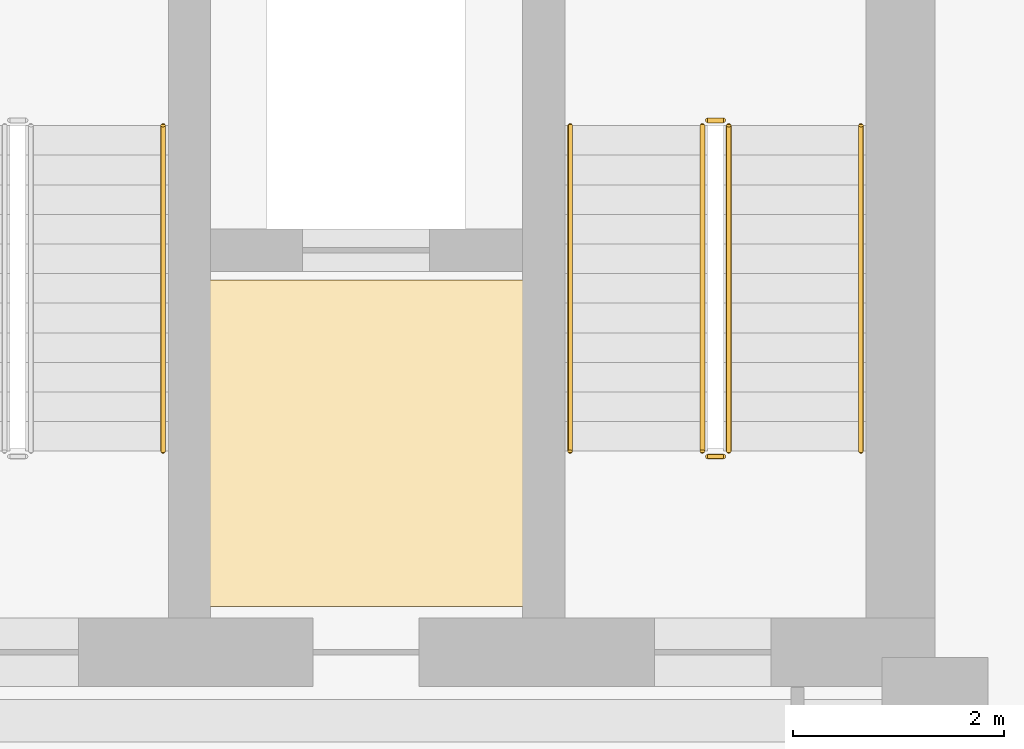
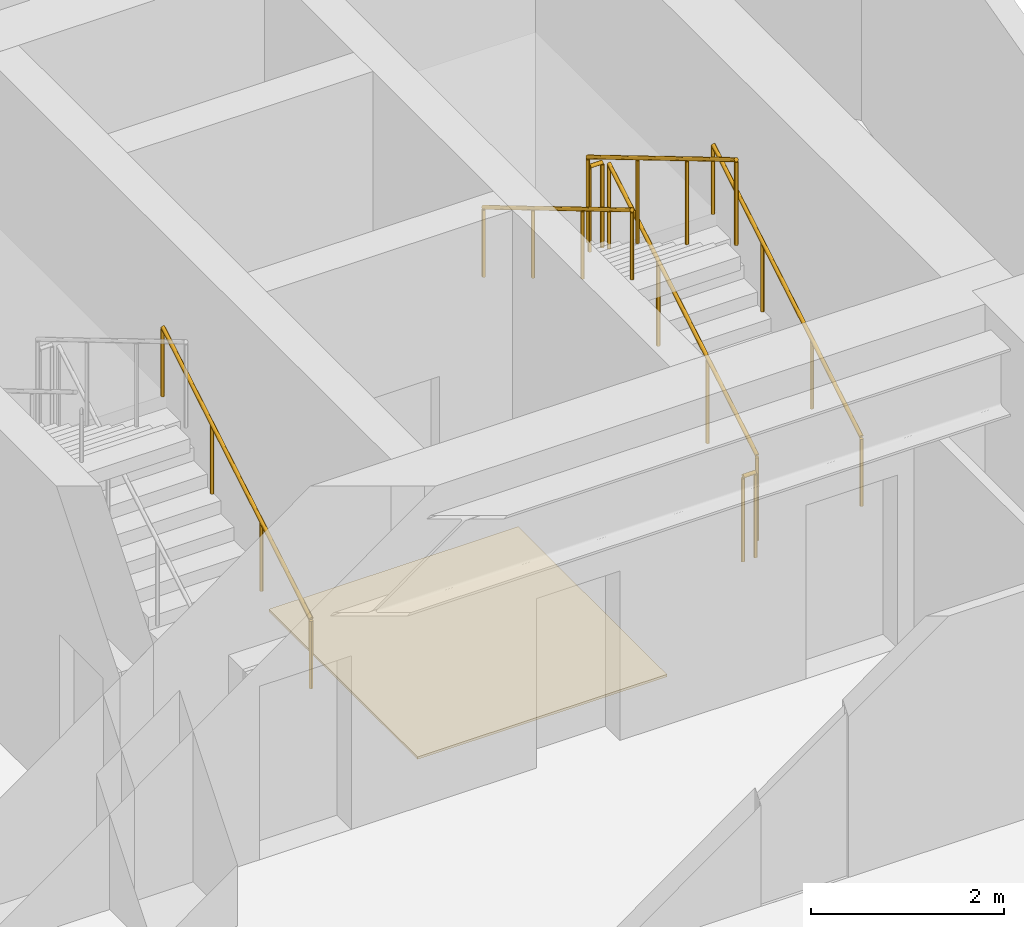
# One storey, part 26 of 26: 7 railings, 1 covering.
"""IFC4 building model written with IfcOpenShell, lengths in metres."""

from ifc_helpers import new_model, si_unit, direction, frame, origin, origin_2d, place, context, subcontext, project, spatial, polyline, circle, outline, extrude, material, layer, layer_set, type_object, element, save


model = new_model("IFC4")

# Units and contexts
model_context = context("Model", 3, precision=1e-05, world=origin(), true_north=direction((0.0, 1.0)))
body_context = subcontext(model_context, "Body", "Model", "MODEL_VIEW")
ifc_project = project(units=[si_unit("LENGTHUNIT", "METRE"), si_unit("AREAUNIT", "SQUARE_METRE"), si_unit("VOLUMEUNIT", "CUBIC_METRE"), si_unit("PLANEANGLEUNIT", "RADIAN"), si_unit("MASSUNIT", "GRAM", prefix="KILO")], contexts=[model_context])

# Site, building, storey
site_placement = place(None, origin())
site = spatial("IfcSite", under=ifc_project, at=site_placement, CompositionType="ELEMENT")
building_placement = place(site_placement, origin())
building = spatial("IfcBuilding", under=site, at=building_placement, Name="Kravanh Interchange Tower", CompositionType="ELEMENT")
storey_placement = place(building_placement, frame((0.0, 0.0, 140.0)))
storey = spatial("IfcBuildingStorey", under=building, at=storey_placement, Name="L33", CompositionType="ELEMENT", Elevation=140.0)

# Covering
ifc_material_1 = material(Name="Cementitious Terrazzo Tile")
ifc_layer_1 = layer(ifc_material_1, 0.030029296875)
ifc_layer_set_1 = layer_set([ifc_layer_1], Name="Honed Terrazzo Lobby Flooring 30mm")
covering_type = type_object("IfcCoveringType", Name="Honed Terrazzo Lobby Flooring 30mm", PredefinedType="FLOORING", material=ifc_layer_set_1)
covering_placement = place(storey_placement, origin())
element("IfcCovering", 1, at=covering_placement, inside=storey, type_object=covering_type, Name="L33 Service Lift Lobby Floor Finish", PredefinedType="FLOORING", context=body_context, shape_type="SweptSolid", body=[
    extrude(outline(polyline([(59.6298828125, 41.52001953125), (62.6201171875, 41.52001953125), (62.6201171875, 38.429931640625), (59.6298828125, 38.429931640625), (59.6298828125, 41.52001953125)])), origin(), (0.0, 0.0, 1.0), 0.030029296875),
])

# Railings
ifc_material_2 = material(Name="Structural Steel S355", Category="steel")
ifc_layer_2 = layer(ifc_material_2, 0.050048828125)
ifc_layer_set_2 = layer_set([ifc_layer_2], Name="Stair Well Guardrail Structural Steel S355 1100mm")
railing_type_1 = type_object("IfcRailingType", Name="Stair Well Guardrail Structural Steel S355 1100mm", PredefinedType="GUARDRAIL", material=ifc_layer_set_2)
railing_1_placement = place(storey_placement, frame((64.550048828125, 39.89990234375, 0.166748046875)))
element("IfcRailing", 2, at=railing_1_placement, inside=storey, type_object=railing_type_1, Name="L33 ST1 stair guard 1", PredefinedType="GUARDRAIL", context=body_context, shape_type="SweptSolid", body=[
    extrude(circle(Radius=0.02392578125, at=origin_2d()), frame((0.0, 0.0, 1.076171875), z_axis=(0.0, 0.859308565015, 0.511457515432), x_axis=(-1.0, 0.0, 0.0)), (0.0, 0.0, 1.0), 3.58447265625),
    extrude(circle(Radius=0.02099609375, at=origin_2d()), origin(), (0.0, 0.0, 1.0), 1.052001953125),
    extrude(circle(Radius=0.02099609375, at=origin_2d()), frame((0.0, 1.026611328125, 0.611083984375)), (0.0, 0.0, 1.0), 1.052001953125),
    extrude(circle(Radius=0.02099609375, at=origin_2d()), frame((0.0, 2.053466796875, 1.22216796875)), (0.0, 0.0, 1.0), 1.052001953125),
    extrude(circle(Radius=0.02099609375, at=origin_2d()), frame((0.0, 3.080078125, 1.833251953125)), (0.0, 0.0, 1.0), 1.052001953125),
])
railing_2_placement = place(storey_placement, frame((64.5, 43.030029296875, 2.0)))
element("IfcRailing", 3, at=railing_2_placement, inside=storey, type_object=railing_type_1, Name="L33 ST1 stair guard 2", PredefinedType="GUARDRAIL", context=body_context, shape_type="SweptSolid", body=[
    extrude(circle(Radius=0.02392578125, at=origin_2d()), frame((0.0, 0.0, 1.076171875), z_axis=(-1.0, 0.0, 0.0), x_axis=(0.0, -1.0, 0.0)), (0.0, 0.0, 1.0), 0.14990234375),
    extrude(circle(Radius=0.02099609375, at=origin_2d()), origin(), (0.0, 0.0, 1.0), 1.052001953125),
    extrude(circle(Radius=0.02099609375, at=origin_2d()), frame((-0.14990234375, 0.0, 0.0)), (0.0, 0.0, 1.0), 1.052001953125),
])
railing_3_placement = place(storey_placement, frame((64.300048828125, 42.97998046875, 2.166748046875)))
element("IfcRailing", 4, at=railing_3_placement, inside=storey, type_object=railing_type_1, Name="L33 ST1 stair guard 3", PredefinedType="GUARDRAIL", context=body_context, shape_type="SweptSolid", body=[
    extrude(circle(Radius=0.02392578125, at=origin_2d()), frame((0.0, 0.0, 1.076171875), z_axis=(0.0, -0.859308565015, 0.511457515432), x_axis=(1.0, 0.0, 0.0)), (0.0, 0.0, 1.0), 3.58447265625),
    extrude(circle(Radius=0.02099609375, at=origin_2d()), origin(), (0.0, 0.0, 1.0), 1.052001953125),
    extrude(circle(Radius=0.02099609375, at=origin_2d()), frame((0.0, -1.026611328125, 0.611083984375)), (0.0, 0.0, 1.0), 1.052001953125),
    extrude(circle(Radius=0.02099609375, at=origin_2d()), frame((0.0, -2.053466796875, 1.22216796875)), (0.0, 0.0, 1.0), 1.052001953125),
    extrude(circle(Radius=0.02099609375, at=origin_2d()), frame((0.0, -3.080078125, 1.833251953125)), (0.0, 0.0, 1.0), 1.052001953125),
])
railing_4_placement = place(storey_placement, frame((64.5, 39.85009765625, 0.0)))
element("IfcRailing", 5, at=railing_4_placement, inside=storey, type_object=railing_type_1, Name="L33 ST1 stair guard 4", PredefinedType="GUARDRAIL", context=body_context, shape_type="SweptSolid", body=[
    extrude(circle(Radius=0.02392578125, at=origin_2d()), frame((0.0, 0.0, 1.076171875), z_axis=(-1.0, 0.0, 0.0), x_axis=(0.0, -1.0, 0.0)), (0.0, 0.0, 1.0), 0.14990234375),
    extrude(circle(Radius=0.02099609375, at=origin_2d()), origin(), (0.0, 0.0, 1.0), 1.052001953125),
    extrude(circle(Radius=0.02099609375, at=origin_2d()), frame((-0.14990234375, 0.0, 0.0)), (0.0, 0.0, 1.0), 1.052001953125),
])
ifc_material_3 = material(Name="Stainless Steel 304", Category="steel")
ifc_layer_3 = layer(ifc_material_3, 0.044921875)
ifc_layer_set_3 = layer_set([ifc_layer_3], Name="Tubular Stair Handrail Stainless 304 900mm")
railing_type_2 = type_object("IfcRailingType", Name="Tubular Stair Handrail Stainless 304 900mm", PredefinedType="HANDRAIL", material=ifc_layer_set_3)
railing_5_placement = place(storey_placement, frame((65.800048828125, 39.89990234375, 0.166748046875)))
element("IfcRailing", 6, at=railing_5_placement, inside=storey, type_object=railing_type_2, Name="L33 ST1 stair handrail 1", PredefinedType="HANDRAIL", context=body_context, shape_type="SweptSolid", body=[
    extrude(circle(Radius=0.02392578125, at=origin_2d()), frame((0.0, 0.0, 0.8759765625), z_axis=(0.0, 0.859308565015, 0.511457515432), x_axis=(-1.0, 0.0, 0.0)), (0.0, 0.0, 1.0), 3.58447265625),
    extrude(circle(Radius=0.02099609375, at=origin_2d()), origin(), (0.0, 0.0, 1.0), 0.851806640625),
    extrude(circle(Radius=0.02099609375, at=origin_2d()), frame((0.0, 1.026611328125, 0.611083984375)), (0.0, 0.0, 1.0), 0.851806640625),
    extrude(circle(Radius=0.02099609375, at=origin_2d()), frame((0.0, 2.053466796875, 1.22216796875)), (0.0, 0.0, 1.0), 0.851806640625),
    extrude(circle(Radius=0.02099609375, at=origin_2d()), frame((0.0, 3.080078125, 1.833251953125)), (0.0, 0.0, 1.0), 0.851806640625),
])
railing_6_placement = place(storey_placement, frame((63.050048828125, 42.97998046875, 2.166748046875)))
element("IfcRailing", 7, at=railing_6_placement, inside=storey, type_object=railing_type_2, Name="L33 ST1 stair handrail 2", PredefinedType="HANDRAIL", context=body_context, shape_type="SweptSolid", body=[
    extrude(circle(Radius=0.02392578125, at=origin_2d()), frame((0.0, 0.0, 0.8759765625), z_axis=(0.0, -0.859308565015, 0.511457515432), x_axis=(1.0, 0.0, 0.0)), (0.0, 0.0, 1.0), 3.58447265625),
    extrude(circle(Radius=0.02099609375, at=origin_2d()), origin(), (0.0, 0.0, 1.0), 0.851806640625),
    extrude(circle(Radius=0.02099609375, at=origin_2d()), frame((0.0, -1.026611328125, 0.611083984375)), (0.0, 0.0, 1.0), 0.851806640625),
    extrude(circle(Radius=0.02099609375, at=origin_2d()), frame((0.0, -2.053466796875, 1.22216796875)), (0.0, 0.0, 1.0), 0.851806640625),
    extrude(circle(Radius=0.02099609375, at=origin_2d()), frame((0.0, -3.080078125, 1.833251953125)), (0.0, 0.0, 1.0), 0.851806640625),
])
railing_7_placement = place(storey_placement, frame((59.199951171875, 39.89990234375, 0.166748046875)))
element("IfcRailing", 8, at=railing_7_placement, inside=storey, type_object=railing_type_2, Name="L33 ST2 stair handrail 1", PredefinedType="HANDRAIL", context=body_context, shape_type="SweptSolid", body=[
    extrude(circle(Radius=0.02392578125, at=origin_2d()), frame((0.0, 0.0, 0.8759765625), z_axis=(0.0, 0.859308565015, 0.511457515432), x_axis=(-1.0, 0.0, 0.0)), (0.0, 0.0, 1.0), 3.58447265625),
    extrude(circle(Radius=0.02099609375, at=origin_2d()), origin(), (0.0, 0.0, 1.0), 0.851806640625),
    extrude(circle(Radius=0.02099609375, at=origin_2d()), frame((0.0, 1.026611328125, 0.611083984375)), (0.0, 0.0, 1.0), 0.851806640625),
    extrude(circle(Radius=0.02099609375, at=origin_2d()), frame((0.0, 2.053466796875, 1.22216796875)), (0.0, 0.0, 1.0), 0.851806640625),
    extrude(circle(Radius=0.02099609375, at=origin_2d()), frame((0.0, 3.080078125, 1.833251953125)), (0.0, 0.0, 1.0), 0.851806640625),
])

save(model, "model.ifc")
